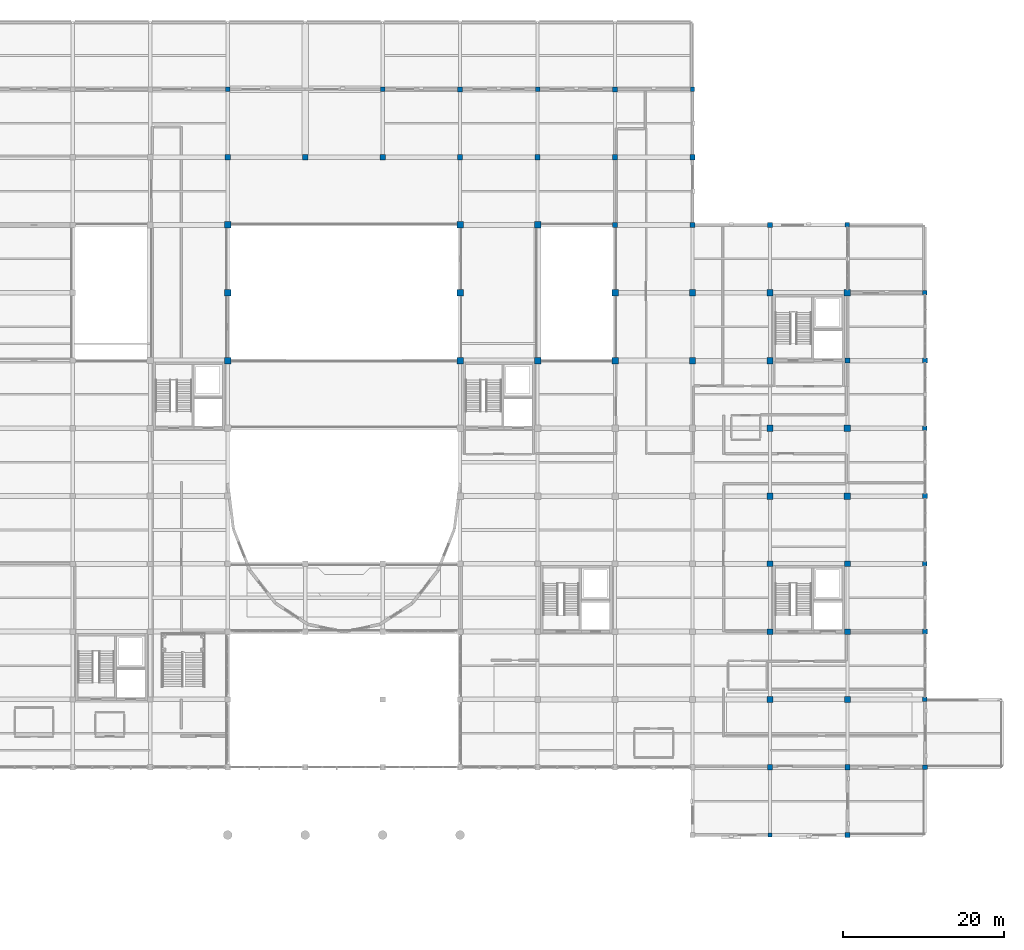
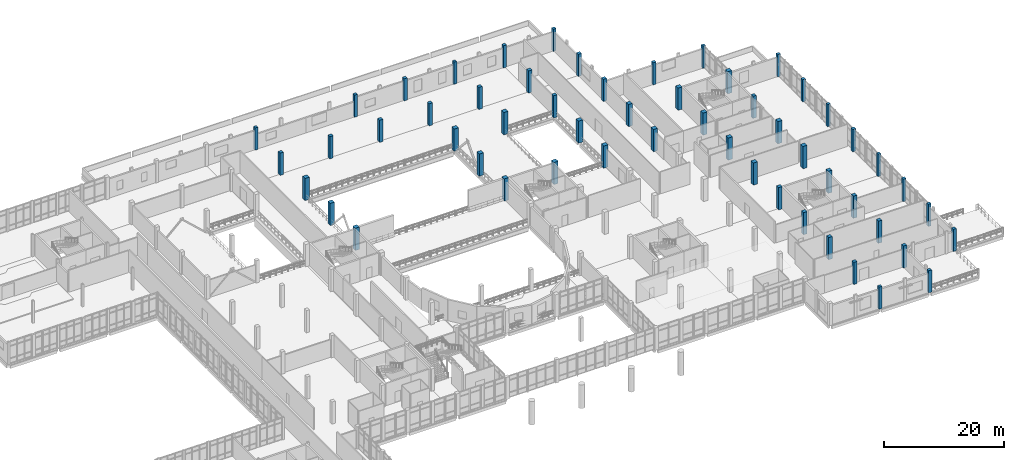
# One storey, part 12 of 102: 55 columns.
"""IFC4 building model written with IfcOpenShell, lengths in metres."""

from ifc_helpers import new_model, si_unit, direction, frame, origin, origin_2d, place, context, subcontext, project, spatial, rectangle, extrude, material, material_profile, profile_set, type_object, element, save


model = new_model("IFC4")

# Units and contexts
model_context = context("Model", 3, precision=1e-05, world=origin(), true_north=direction((0.0, 1.0)))
body_context = subcontext(model_context, "Body", "Model", "MODEL_VIEW")
ifc_project = project(units=[si_unit("LENGTHUNIT", "METRE"), si_unit("AREAUNIT", "SQUARE_METRE"), si_unit("VOLUMEUNIT", "CUBIC_METRE"), si_unit("PLANEANGLEUNIT", "RADIAN"), si_unit("MASSUNIT", "GRAM", prefix="KILO")], contexts=[model_context])

# Site, building, storey
site_placement = place(None, origin())
site = spatial("IfcSite", under=ifc_project, at=site_placement, CompositionType="ELEMENT")
building_placement = place(site_placement, origin())
building = spatial("IfcBuilding", under=site, at=building_placement, Name="Lornevale Opera House", CompositionType="ELEMENT")
storey_placement = place(building_placement, frame((0.0, 0.0, 5.39990234375)))
storey = spatial("IfcBuildingStorey", under=building, at=storey_placement, Name="L02", CompositionType="ELEMENT", Elevation=5.39990234375)

# Columns
ifc_material_1 = material(Name="Concrete 35 MPa (CSA A23.1 N)", Category="concrete")
ifc_material_profile_1 = material_profile(ifc_material_1, rectangle(XDim=0.550048828125, YDim=0.550048828125, at=origin_2d()), Name="RC550x550")
ifc_profile_set_1 = profile_set([ifc_material_profile_1], Name="Concrete 35 MPa (CSA A23.1 N)")
column_type_1 = type_object("IfcColumnType", Name="Concrete Column 550x550", PredefinedType="COLUMN", material=ifc_profile_set_1)
for number, where, z_axis, x_axis, name in (
    (1, (67.199951171875, 100.800048828125, 0.0), (0.0, 0.0, 1.0), (1.0, 0.0, 0.0), "Concrete Column 550x550 0491"),
    (2, (86.39990234375, 100.800048828125, 0.0), (0.0, 0.0, 1.0), (1.0, 0.0, 0.0), "Concrete Column 550x550 0590"),
    (3, (105.60009765625, 100.800048828125, 0.0), (0.0, 0.0, 1.0), (1.0, 0.0, 0.0), "Concrete Column 550x550 0748"),
    (4, (124.800048828125, 100.800048828125, 0.0), (0.0, 0.0, 1.0), (1.0, 0.0, 0.0), "Concrete Column 550x550 0905"),
    (5, (134.39990234375, 8.39990234375, 0.0), (0.0, 0.0, 1.0), (1.0, 0.0, 0.0), "Concrete Column 550x550 0914"),
    (6, (144.0, 84.0, 0.0), (0.0, 0.0, 1.0), (1.0, 0.0, 0.0), "Concrete Column 550x550 1036"),
    (7, (153.60009765625, 25.199951171875, 0.0), (0.0, 0.0, 1.0), (1.0, 0.0, 0.0), "Concrete Column 550x550 1047"),
):
    element("IfcColumn", number, at=place(storey_placement, frame(where, z_axis=z_axis, x_axis=x_axis)), inside=storey, type_object=column_type_1, Name=name, PredefinedType="COLUMN", context=body_context, shape_type="SweptSolid", body=[
        extrude(rectangle(XDim=0.550048828125, YDim=0.550048828125, at=origin_2d()), origin(), (0.0, 0.0, 1.0), 4.530029296875),
    ])
column_1_placement = place(storey_placement, frame((153.60009765625, 42.0, 0.0), z_axis=(0.0, 0.0, 1.0), x_axis=(1.0, 0.0, 0.0)))
element("IfcColumn", 8, at=column_1_placement, inside=storey, type_object=column_type_1, Name="Concrete Column 550x550 1055", PredefinedType="COLUMN", context=body_context, shape_type="SweptSolid", body=[
    extrude(rectangle(XDim=0.550048828125, YDim=0.550048828125, at=origin_2d()), origin(), (0.0, 0.0, 1.0), 4.570068359375),
])
for number, where, z_axis, x_axis, name in (
    (9, (153.60009765625, 58.800048828125, 0.0), (0.0, 0.0, 1.0), (1.0, 0.0, 0.0), "Concrete Column 550x550 1063"),
    (10, (153.60009765625, 75.60009765625, 0.0), (0.0, 0.0, 1.0), (1.0, 0.0, 0.0), "Concrete Column 550x550 1071"),
):
    element("IfcColumn", number, at=place(storey_placement, frame(where, z_axis=z_axis, x_axis=x_axis)), inside=storey, type_object=column_type_1, Name=name, PredefinedType="COLUMN", context=body_context, shape_type="SweptSolid", body=[
        extrude(rectangle(XDim=0.550048828125, YDim=0.550048828125, at=origin_2d()), origin(), (0.0, 0.0, 1.0), 4.530029296875),
    ])
ifc_material_profile_2 = material_profile(ifc_material_1, rectangle(XDim=0.60009765625, YDim=0.60009765625, at=origin_2d()), Name="RC600x600")
ifc_profile_set_2 = profile_set([ifc_material_profile_2], Name="Concrete 35 MPa (CSA A23.1 N)")
column_type_2 = type_object("IfcColumnType", Name="Concrete Column 600x600", PredefinedType="COLUMN", material=ifc_profile_set_2)
for number, where, z_axis, x_axis, name in (
    (11, (96.0, 100.800048828125, 0.0), (0.0, 0.0, 1.0), (1.0, 0.0, 0.0), "Concrete Column 600x600 0673"),
    (12, (115.199951171875, 100.800048828125, 0.0), (0.0, 0.0, 1.0), (1.0, 0.0, 0.0), "Concrete Column 600x600 0826"),
    (13, (134.39990234375, 84.0, 0.0), (0.0, 0.0, 1.0), (1.0, 0.0, 0.0), "Concrete Column 600x600 0973"),
    (14, (144.0, 8.39990234375, 0.0), (0.0, 0.0, 1.0), (1.0, 0.0, 0.0), "Concrete Column 600x600 0977"),
    (15, (153.60009765625, 16.800048828125, 0.0), (0.0, 0.0, 1.0), (1.0, 0.0, 0.0), "Concrete Column 600x600 1043"),
):
    element("IfcColumn", number, at=place(storey_placement, frame(where, z_axis=z_axis, x_axis=x_axis)), inside=storey, type_object=column_type_2, Name=name, PredefinedType="COLUMN", context=body_context, shape_type="SweptSolid", body=[
        extrude(rectangle(XDim=0.60009765625, YDim=0.60009765625, at=origin_2d()), origin(), (0.0, 0.0, 1.0), 4.530029296875),
    ])
for number, where, z_axis, x_axis, name in (
    (16, (153.60009765625, 33.60009765625, 0.0), (0.0, 0.0, 1.0), (1.0, 0.0, 0.0), "Concrete Column 600x600 1051"),
    (17, (153.60009765625, 50.39990234375, 0.0), (0.0, 0.0, 1.0), (1.0, 0.0, 0.0), "Concrete Column 600x600 1059"),
):
    element("IfcColumn", number, at=place(storey_placement, frame(where, z_axis=z_axis, x_axis=x_axis)), inside=storey, type_object=column_type_2, Name=name, PredefinedType="COLUMN", context=body_context, shape_type="SweptSolid", body=[
        extrude(rectangle(XDim=0.60009765625, YDim=0.60009765625, at=origin_2d()), origin(), (0.0, 0.0, 1.0), 4.570068359375),
    ])
column_2_placement = place(storey_placement, frame((153.60009765625, 67.199951171875, 0.0), z_axis=(0.0, 0.0, 1.0), x_axis=(1.0, 0.0, 0.0)))
element("IfcColumn", 18, at=column_2_placement, inside=storey, type_object=column_type_2, Name="Concrete Column 600x600 1067", PredefinedType="COLUMN", context=body_context, shape_type="SweptSolid", body=[
    extrude(rectangle(XDim=0.60009765625, YDim=0.60009765625, at=origin_2d()), origin(), (0.0, 0.0, 1.0), 4.530029296875),
])
ifc_material_2 = material(Name="Concrete 40 MPa (CSA A23.1 C-1)", Category="concrete")
ifc_material_profile_3 = material_profile(ifc_material_2, rectangle(XDim=0.64990234375, YDim=0.64990234375, at=origin_2d()), Name="RC650x650")
ifc_profile_set_3 = profile_set([ifc_material_profile_3], Name="Concrete 40 MPa (CSA A23.1 C-1)")
column_type_3 = type_object("IfcColumnType", Name="Concrete Column 650x650", PredefinedType="COLUMN", material=ifc_profile_set_3)
for number, where, z_axis, x_axis, name in (
    (19, (67.199951171875, 92.39990234375, 0.0), (0.0, 0.0, 1.0), (1.0, 0.0, 0.0), "Concrete Column 650x650 0486"),
    (20, (76.800048828125, 92.39990234375, 0.0), (0.0, 0.0, 1.0), (1.0, 0.0, 0.0), "Concrete Column 650x650 0535"),
    (21, (86.39990234375, 92.39990234375, 0.0), (0.0, 0.0, 1.0), (1.0, 0.0, 0.0), "Concrete Column 650x650 0585"),
    (22, (96.0, 92.39990234375, 0.0), (0.0, 0.0, 1.0), (1.0, 0.0, 0.0), "Concrete Column 650x650 0668"),
    (23, (105.60009765625, 92.39990234375, 0.0), (0.0, 0.0, 1.0), (1.0, 0.0, 0.0), "Concrete Column 650x650 0743"),
):
    element("IfcColumn", number, at=place(storey_placement, frame(where, z_axis=z_axis, x_axis=x_axis)), inside=storey, type_object=column_type_3, Name=name, PredefinedType="COLUMN", context=body_context, shape_type="SweptSolid", body=[
        extrude(rectangle(XDim=0.64990234375, YDim=0.64990234375, at=origin_2d()), origin(), (0.0, 0.0, 1.0), 4.530029296875),
    ])
column_3_placement = place(storey_placement, frame((115.199951171875, 84.0, 0.0), z_axis=(0.0, 0.0, 1.0), x_axis=(1.0, 0.0, 0.0)))
element("IfcColumn", 24, at=column_3_placement, inside=storey, type_object=column_type_3, Name="Concrete Column 650x650 0816", PredefinedType="COLUMN", context=body_context, shape_type="SweptSolid", body=[
    extrude(rectangle(XDim=0.64990234375, YDim=0.64990234375, at=origin_2d()), origin(), (0.0, 0.0, 1.0), 4.5400390625),
])
for number, where, z_axis, x_axis, name in (
    (25, (115.199951171875, 92.39990234375, 0.0), (0.0, 0.0, 1.0), (1.0, 0.0, 0.0), "Concrete Column 650x650 0821"),
    (26, (124.800048828125, 84.0, 0.0), (0.0, 0.0, 1.0), (1.0, 0.0, 0.0), "Concrete Column 650x650 0895"),
    (27, (124.800048828125, 92.39990234375, 0.0), (0.0, 0.0, 1.0), (1.0, 0.0, 0.0), "Concrete Column 650x650 0900"),
    (28, (134.39990234375, 16.800048828125, 0.0), (0.0, 0.0, 1.0), (1.0, 0.0, 0.0), "Concrete Column 650x650 0918"),
):
    element("IfcColumn", number, at=place(storey_placement, frame(where, z_axis=z_axis, x_axis=x_axis)), inside=storey, type_object=column_type_3, Name=name, PredefinedType="COLUMN", context=body_context, shape_type="SweptSolid", body=[
        extrude(rectangle(XDim=0.64990234375, YDim=0.64990234375, at=origin_2d()), origin(), (0.0, 0.0, 1.0), 4.530029296875),
    ])
ifc_material_profile_4 = material_profile(ifc_material_2, rectangle(XDim=0.699951171875, YDim=0.699951171875, at=origin_2d()), Name="RC700x700")
ifc_profile_set_4 = profile_set([ifc_material_profile_4], Name="Concrete 40 MPa (CSA A23.1 C-1)")
column_type_4 = type_object("IfcColumnType", Name="Concrete Column 700x700", PredefinedType="COLUMN", material=ifc_profile_set_4)
for number, where, z_axis, x_axis, name in (
    (29, (134.39990234375, 25.199951171875, 0.0), (0.0, 0.0, 1.0), (1.0, 0.0, 0.0), "Concrete Column 700x700 0923"),
    (30, (134.39990234375, 33.60009765625, 0.0), (0.0, 0.0, 1.0), (1.0, 0.0, 0.0), "Concrete Column 700x700 0929"),
    (31, (134.39990234375, 42.0, 0.0), (0.0, 0.0, 1.0), (1.0, 0.0, 0.0), "Concrete Column 700x700 0935"),
):
    element("IfcColumn", number, at=place(storey_placement, frame(where, z_axis=z_axis, x_axis=x_axis)), inside=storey, type_object=column_type_4, Name=name, PredefinedType="COLUMN", context=body_context, shape_type="SweptSolid", body=[
        extrude(rectangle(XDim=0.699951171875, YDim=0.699951171875, at=origin_2d()), origin(), (0.0, 0.0, 1.0), 4.5400390625),
    ])
column_4_placement = place(storey_placement, frame((144.0, 25.199951171875, 0.0), z_axis=(0.0, 0.0, 1.0), x_axis=(1.0, 0.0, 0.0)))
element("IfcColumn", 32, at=column_4_placement, inside=storey, type_object=column_type_4, Name="Concrete Column 700x700 0986", PredefinedType="COLUMN", context=body_context, shape_type="SweptSolid", body=[
    extrude(rectangle(XDim=0.699951171875, YDim=0.699951171875, at=origin_2d()), origin(), (0.0, 0.0, 1.0), 4.530029296875),
])
for number, where, z_axis, x_axis, name in (
    (33, (144.0, 33.60009765625, 0.0), (0.0, 0.0, 1.0), (1.0, 0.0, 0.0), "Concrete Column 700x700 0992"),
    (34, (144.0, 42.0, 0.0), (0.0, 0.0, 1.0), (1.0, 0.0, 0.0), "Concrete Column 700x700 0998"),
):
    element("IfcColumn", number, at=place(storey_placement, frame(where, z_axis=z_axis, x_axis=x_axis)), inside=storey, type_object=column_type_4, Name=name, PredefinedType="COLUMN", context=body_context, shape_type="SweptSolid", body=[
        extrude(rectangle(XDim=0.699951171875, YDim=0.699951171875, at=origin_2d()), origin(), (0.0, 0.0, 1.0), 4.5400390625),
    ])
ifc_material_profile_5 = material_profile(ifc_material_2, rectangle(XDim=0.75, YDim=0.75, at=origin_2d()), Name="RC750x750")
ifc_profile_set_5 = profile_set([ifc_material_profile_5], Name="Concrete 40 MPa (CSA A23.1 C-1)")
column_type_5 = type_object("IfcColumnType", Name="Concrete Column 750x750", PredefinedType="COLUMN", material=ifc_profile_set_5)
column_5_placement = place(storey_placement, frame((124.800048828125, 75.60009765625, 0.0), z_axis=(0.0, 0.0, 1.0), x_axis=(1.0, 0.0, 0.0)))
element("IfcColumn", 35, at=column_5_placement, inside=storey, type_object=column_type_5, Name="Concrete Column 750x750 0888", PredefinedType="COLUMN", context=body_context, shape_type="SweptSolid", body=[
    extrude(rectangle(XDim=0.75, YDim=0.75, at=origin_2d()), origin(), (0.0, 0.0, 1.0), 4.530029296875),
])
ifc_material_profile_6 = material_profile(ifc_material_2, rectangle(XDim=0.800048828125, YDim=0.800048828125, at=origin_2d()), Name="RC800x800")
ifc_profile_set_6 = profile_set([ifc_material_profile_6], Name="Concrete 40 MPa (CSA A23.1 C-1)")
column_type_6 = type_object("IfcColumnType", Name="Concrete Column 800x800", PredefinedType="COLUMN", material=ifc_profile_set_6)
for number, where, z_axis, x_axis, name in (
    (36, (67.199951171875, 67.199951171875, 0.0), (0.0, 0.0, 1.0), (1.0, 0.0, 0.0), "Concrete Column 800x800 0462"),
    (37, (67.199951171875, 75.60009765625, 0.0), (0.0, 0.0, 1.0), (1.0, 0.0, 0.0), "Concrete Column 800x800 0470"),
    (38, (67.199951171875, 84.0, 0.0), (0.0, 0.0, 1.0), (1.0, 0.0, 0.0), "Concrete Column 800x800 0478"),
    (39, (96.0, 67.199951171875, 0.0), (0.0, 0.0, 1.0), (1.0, 0.0, 0.0), "Concrete Column 800x800 0644"),
    (40, (96.0, 75.60009765625, 0.0), (0.0, 0.0, 1.0), (1.0, 0.0, 0.0), "Concrete Column 800x800 0652"),
    (41, (96.0, 84.0, 0.0), (0.0, 0.0, 1.0), (1.0, 0.0, 0.0), "Concrete Column 800x800 0660"),
    (42, (105.60009765625, 67.199951171875, 0.0), (0.0, 0.0, 1.0), (1.0, 0.0, 0.0), "Concrete Column 800x800 0725"),
    (43, (105.60009765625, 84.0, 0.0), (0.0, 0.0, 1.0), (1.0, 0.0, 0.0), "Concrete Column 800x800 0735"),
    (44, (115.199951171875, 67.199951171875, 0.0), (0.0, 0.0, 1.0), (1.0, 0.0, 0.0), "Concrete Column 800x800 0800"),
    (45, (115.199951171875, 75.60009765625, 0.0), (0.0, 0.0, 1.0), (1.0, 0.0, 0.0), "Concrete Column 800x800 0808"),
    (46, (124.800048828125, 67.199951171875, 0.0), (0.0, 0.0, 1.0), (1.0, 0.0, 0.0), "Concrete Column 800x800 0880"),
    (47, (134.39990234375, 50.39990234375, 0.0), (0.0, 0.0, 1.0), (1.0, 0.0, 0.0), "Concrete Column 800x800 0941"),
    (48, (134.39990234375, 58.800048828125, 0.0), (0.0, 0.0, 1.0), (1.0, 0.0, 0.0), "Concrete Column 800x800 0949"),
    (49, (134.39990234375, 67.199951171875, 0.0), (0.0, 0.0, 1.0), (1.0, 0.0, 0.0), "Concrete Column 800x800 0957"),
):
    element("IfcColumn", number, at=place(storey_placement, frame(where, z_axis=z_axis, x_axis=x_axis)), inside=storey, type_object=column_type_6, Name=name, PredefinedType="COLUMN", context=body_context, shape_type="SweptSolid", body=[
        extrude(rectangle(XDim=0.800048828125, YDim=0.800048828125, at=origin_2d()), origin(), (0.0, 0.0, 1.0), 4.5400390625),
    ])
column_6_placement = place(storey_placement, frame((134.39990234375, 75.60009765625, 0.0), z_axis=(0.0, 0.0, 1.0), x_axis=(1.0, 0.0, 0.0)))
element("IfcColumn", 50, at=column_6_placement, inside=storey, type_object=column_type_6, Name="Concrete Column 800x800 0965", PredefinedType="COLUMN", context=body_context, shape_type="SweptSolid", body=[
    extrude(rectangle(XDim=0.800048828125, YDim=0.800048828125, at=origin_2d()), origin(), (0.0, 0.0, 1.0), 4.530029296875),
])
column_7_placement = place(storey_placement, frame((144.0, 50.39990234375, 0.0), z_axis=(0.0, 0.0, 1.0), x_axis=(1.0, 0.0, 0.0)))
element("IfcColumn", 51, at=column_7_placement, inside=storey, type_object=column_type_6, Name="Concrete Column 800x800 1004", PredefinedType="COLUMN", context=body_context, shape_type="SweptSolid", body=[
    extrude(rectangle(XDim=0.800048828125, YDim=0.800048828125, at=origin_2d()), origin(), (0.0, 0.0, 1.0), 4.5400390625),
])
for number, where, z_axis, x_axis, name in (
    (52, (144.0, 58.800048828125, 0.0), (0.0, 0.0, 1.0), (1.0, 0.0, 0.0), "Concrete Column 800x800 1012"),
    (53, (144.0, 75.60009765625, 0.0), (0.0, 0.0, 1.0), (1.0, 0.0, 0.0), "Concrete Column 800x800 1028"),
):
    element("IfcColumn", number, at=place(storey_placement, frame(where, z_axis=z_axis, x_axis=x_axis)), inside=storey, type_object=column_type_6, Name=name, PredefinedType="COLUMN", context=body_context, shape_type="SweptSolid", body=[
        extrude(rectangle(XDim=0.800048828125, YDim=0.800048828125, at=origin_2d()), origin(), (0.0, 0.0, 1.0), 4.530029296875),
    ])
ifc_material_3 = material(Name="Precast Concrete 40 MPa (CSA A23.1 C-1)", Category="concrete")
ifc_material_profile_7 = material_profile(ifc_material_3, rectangle(XDim=0.64990234375, YDim=0.64990234375, at=origin_2d()), Name="RC650x650")
ifc_profile_set_7 = profile_set([ifc_material_profile_7], Name="Precast Concrete 40 MPa (CSA A23.1 C-1)")
column_type_7 = type_object("IfcColumnType", Name="Postmodern Sandstone Pilaster 650x650", PredefinedType="PILASTER", material=ifc_profile_set_7)
for number, where, z_axis, x_axis, name in (
    (54, (144.0, 16.800048828125, 0.0), (0.0, 0.0, 1.0), (1.0, 0.0, 0.0), "Postmodern Sandstone Pilaster 650x650 0981"),
    (55, (144.0, 67.199951171875, 0.0), (0.0, 0.0, 1.0), (1.0, 0.0, 0.0), "Postmodern Sandstone Pilaster 650x650 1020"),
):
    element("IfcColumn", number, at=place(storey_placement, frame(where, z_axis=z_axis, x_axis=x_axis)), inside=storey, type_object=column_type_7, Name=name, PredefinedType="PILASTER", context=body_context, shape_type="SweptSolid", body=[
        extrude(rectangle(XDim=0.64990234375, YDim=0.64990234375, at=origin_2d()), origin(), (0.0, 0.0, 1.0), 4.530029296875),
    ])

save(model, "model.ifc")
